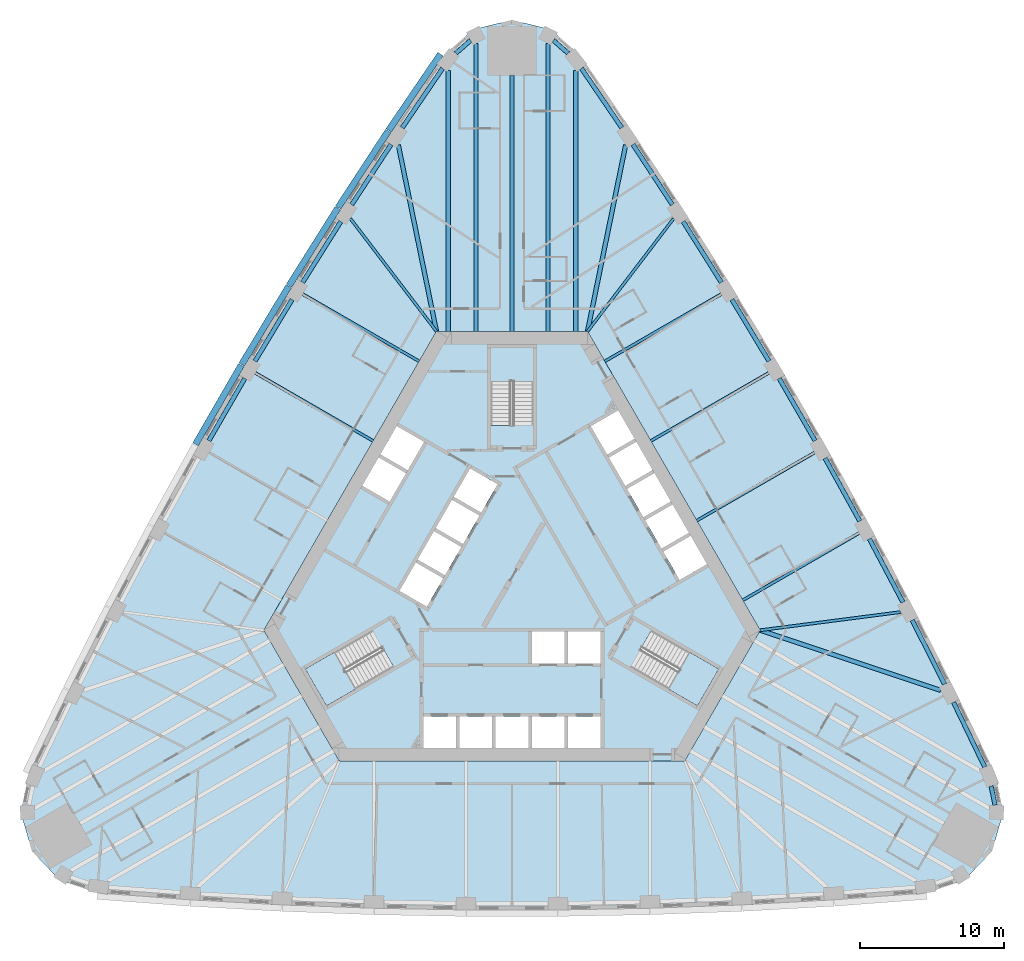
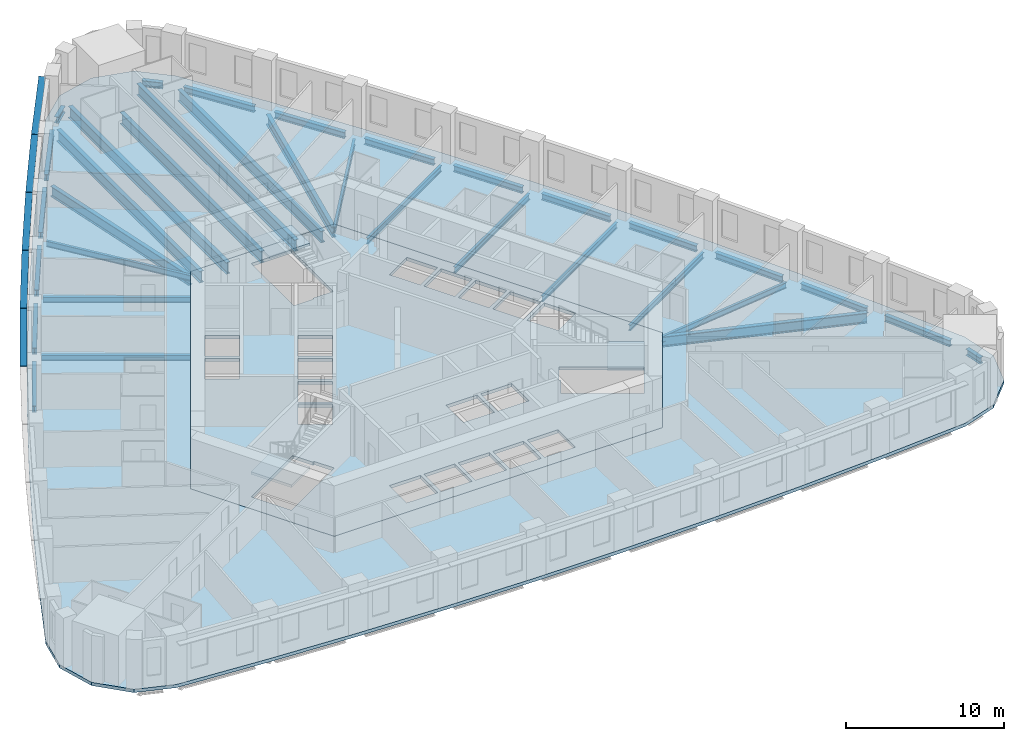
# One storey, part 2 of 12: 34 beams, 5 members, 5 slabs, 3 elements without a shape of their own.
"""IFC4 building model written with IfcOpenShell, lengths in metres."""

import ifcopenshell
import ifcopenshell.guid

model = None  # the IFC model being written
_history = None  # IfcOwnerHistory: only IFC2X3 demands one
_inside = {}  # id of a spatial element -> (the spatial element, [elements in it])
_under = {}  # id of a project, library or spatial element -> (it, [spatial elements below it])
_declared = {}  # id of a project -> (the project, [libraries it declares])
_typed = {}  # id of a type object -> (the type object, [elements of that type])
_made_of = {}  # id of a material, layer set ... -> (it, [elements and type objects made of it])


def new_model(schema):
    """Start an empty IFC model of exactly this schema.

    Asked for "IFC4X3", IfcOpenShell would pick the latest addendum, in which some entities
    have other attributes; the version numbers below select the first issue.
    IFC2X3 requires an IfcOwnerHistory on every rooted entity: one is made here for all.
    """
    global model, _history
    if schema == "IFC4X3":
        model = ifcopenshell.file(schema_version=(4, 3, 0, 0))
    else:
        model = ifcopenshell.file(schema=schema)
    _inside.clear()
    _under.clear()
    _declared.clear()
    _typed.clear()
    _made_of.clear()
    _history = None
    if model.schema == "IFC2X3":
        org = make("IfcOrganization", Name="unknown")
        user = make(
            "IfcPersonAndOrganization",
            ThePerson=make("IfcPerson", FamilyName="unknown"),
            TheOrganization=org,
        )
        app = make(
            "IfcApplication",
            ApplicationDeveloper=org,
            Version="unknown",
            ApplicationFullName="unknown",
            ApplicationIdentifier="unknown",
        )
        _history = make(
            "IfcOwnerHistory",
            OwningUser=user,
            OwningApplication=app,
            ChangeAction="ADDED",
            CreationDate=0,
        )
    return model


def make(cls, **values):
    """One entity of the class cls with the attributes given. An attribute that is None is left unset."""
    return model.create_entity(
        cls, **{name: value for name, value in values.items() if value is not None}
    )


def rooted(cls, **values):
    """An entity with a GlobalId (a new one), such as an element, a storey or a relation."""
    return make(cls, GlobalId=ifcopenshell.guid.new(), OwnerHistory=_history, **values)


def si_unit(unit_type, name, prefix=None):
    """IfcSIUnit, for example si_unit("LENGTHUNIT", "METRE", prefix="MILLI")."""
    return make("IfcSIUnit", UnitType=unit_type, Prefix=prefix, Name=name)


def assignment(units):
    """IfcUnitAssignment: the units of a project."""
    return None if units is None else make("IfcUnitAssignment", Units=units)


def point(xyz):
    """IfcCartesianPoint."""
    return None if xyz is None else make("IfcCartesianPoint", Coordinates=xyz)


def direction(xyz):
    """IfcDirection."""
    return None if xyz is None else make("IfcDirection", DirectionRatios=xyz)


def frame(location, z_axis=None, x_axis=None):
    """IfcAxis2Placement3D, a coordinate frame: its origin and axes. An axis left out is left unset."""
    return make(
        "IfcAxis2Placement3D",
        Location=point(location),
        Axis=direction(z_axis),
        RefDirection=direction(x_axis),
    )


def frame_2d(location, x_axis=None):
    """IfcAxis2Placement2D, a coordinate frame in the plane: its origin and x axis."""
    return make(
        "IfcAxis2Placement2D", Location=point(location), RefDirection=direction(x_axis)
    )


def origin():
    """The frame at (0, 0, 0) with its axes left unset."""
    return frame((0.0, 0.0, 0.0))


def origin_2d():
    """The frame at (0, 0) in the plane with its x axis left unset."""
    return frame_2d((0.0, 0.0))


def place(relative_to, where):
    """IfcLocalPlacement: puts the frame where relative to a parent placement (None: the world)."""
    return make(
        "IfcLocalPlacement", PlacementRelTo=relative_to, RelativePlacement=where
    )


def context(
    kind, dimensions, precision=None, world=None, true_north=None, identifier=None
):
    """IfcGeometricRepresentationContext, for example the 3D "Model" context."""
    return make(
        "IfcGeometricRepresentationContext",
        ContextIdentifier=identifier,
        ContextType=kind,
        CoordinateSpaceDimension=dimensions,
        Precision=precision,
        WorldCoordinateSystem=world,
        TrueNorth=true_north,
    )


def subcontext(parent, identifier, kind, view, scale=None):
    """IfcGeometricRepresentationSubContext, for example "Body" below "Model"."""
    return make(
        "IfcGeometricRepresentationSubContext",
        ContextIdentifier=identifier,
        ContextType=kind,
        ParentContext=parent,
        TargetScale=scale,
        TargetView=view,
    )


def project(units=None, contexts=None):
    """IfcProject with its units and contexts."""
    return rooted(
        "IfcProject",
        Name="project",
        RepresentationContexts=contexts,
        UnitsInContext=assignment(units),
    )


def spatial(cls, under=None, at=None, **own):
    """A site, building, storey or space (cls), placed at a placement, below another one or the project."""
    s = rooted(cls, ObjectPlacement=at, **own)
    if under is not None:
        _under.setdefault(under.id(), (under, []))[1].append(s)
    return s


def polyline(points):
    """IfcPolyline through the points."""
    return make("IfcPolyline", Points=[point(p) for p in points])


def profile(cls, at=None, kind="AREA", **sizes):
    """A parametric profile (cls). Its sizes go by their IFC names, for example OverallWidth=200.0."""
    return make(cls, ProfileType=kind, Position=at, **sizes)


def rectangle(**sizes):
    """IfcRectangleProfileDef."""
    return profile("IfcRectangleProfileDef", **sizes)


def i_section(**sizes):
    """IfcIShapeProfileDef."""
    return profile("IfcIShapeProfileDef", **sizes)


def outline(outer, holes=None, kind="AREA"):
    """IfcArbitraryClosedProfileDef: a profile drawn as a closed curve; with holes, ...WithVoids."""
    if holes is None:
        return make("IfcArbitraryClosedProfileDef", ProfileType=kind, OuterCurve=outer)
    return make(
        "IfcArbitraryProfileDefWithVoids",
        ProfileType=kind,
        OuterCurve=outer,
        InnerCurves=holes,
    )


def extrude(swept, where, along, depth):
    """IfcExtrudedAreaSolid: the profile swept, set in the frame where, extruded along a direction by depth."""
    return make(
        "IfcExtrudedAreaSolid",
        SweptArea=swept,
        Position=where,
        ExtrudedDirection=direction(along),
        Depth=depth,
    )


def shape(context_of_items, identifier, shape_type, items):
    """IfcShapeRepresentation: the items that make up one representation, for example the "Body"."""
    return make(
        "IfcShapeRepresentation",
        ContextOfItems=context_of_items,
        RepresentationIdentifier=identifier,
        RepresentationType=shape_type,
        Items=items,
    )


def material(Name=None, Category=None):
    """IfcMaterial."""
    return make("IfcMaterial", Name=Name, Category=Category)


def layer(
    of_material, thickness, ventilated=None, Name=None, Category=None, Priority=None
):
    """IfcMaterialLayer: one layer of a wall or slab, of a material (None: an air gap)."""
    return make(
        "IfcMaterialLayer",
        Material=of_material,
        LayerThickness=thickness,
        IsVentilated=ventilated,
        Name=Name,
        Category=Category,
        Priority=Priority,
    )


def layer_set(layers, Name=None):
    """IfcMaterialLayerSet."""
    return make("IfcMaterialLayerSet", MaterialLayers=layers, LayerSetName=Name)


def material_profile(
    of_material, cross_section, Name=None, Category=None, Priority=None
):
    """IfcMaterialProfile: a cross section and its material."""
    return make(
        "IfcMaterialProfile",
        Name=Name,
        Material=of_material,
        Profile=cross_section,
        Priority=Priority,
        Category=Category,
    )


def profile_set(profiles, Name=None, composite=None):
    """IfcMaterialProfileSet."""
    return make(
        "IfcMaterialProfileSet",
        Name=Name,
        MaterialProfiles=profiles,
        CompositeProfile=composite,
    )


def made_of(thing, what):
    """Note that an element or type object is made of a material, layer set ...; save() writes the relation."""
    if what is not None:
        _made_of.setdefault(what.id(), (what, []))[1].append(thing)
    return thing


def type_object(cls, material=None, **own):
    """A type object (cls), such as IfcWallType, which elements share."""
    return made_of(rooted(cls, **own), material)


def element(
    cls,
    number,
    at=None,
    inside=None,
    cuts=None,
    type_object=None,
    material=None,
    context=None,
    identifier="Body",
    shape_type=None,
    held_by="IfcProductDefinitionShape",
    body=None,
    shapes=None,
    **own,
):
    """One element of the class cls, such as IfcWall. Its Tag is "e" and its number.

    at: its placement. inside: the storey or other place that contains it. cuts: it is an
    opening in that element (IfcRelVoidsElement). A single representation is given by context,
    identifier, shape_type and body (its items); several are given by shapes. held_by: the class
    of the entity that holds the representations. save() writes the other relations.
    """
    e = rooted(cls, Tag="e%d" % number, ObjectPlacement=at, **own)
    if body is not None:
        shapes = [shape(context, identifier, shape_type, body)]
    if shapes is not None:
        e.Representation = make(held_by, Representations=shapes)
    if inside is not None:
        _inside.setdefault(inside.id(), (inside, []))[1].append(e)
    if cuts is not None:
        rooted(
            "IfcRelVoidsElement", RelatingBuildingElement=cuts, RelatedOpeningElement=e
        )
    if type_object is not None:
        _typed.setdefault(type_object.id(), (type_object, []))[1].append(e)
    return made_of(e, material)


def aggregate(whole, parts):
    """IfcRelAggregates: a whole, such as a stair, and the parts it consists of."""
    return rooted("IfcRelAggregates", RelatingObject=whole, RelatedObjects=parts)


def save(model, path):
    """Write the relations noted so far, then the file.

    IfcRelAggregates (storeys below a building ...), IfcRelContainedInSpatialStructure (elements
    in a storey), IfcRelDefinesByType, IfcRelAssociatesMaterial and IfcRelDeclares: one each for
    every whole, place, type object, material and project.
    """
    for whole, parts in _under.values():
        aggregate(whole, parts)
    for where, things in _inside.values():
        rooted(
            "IfcRelContainedInSpatialStructure",
            RelatedElements=things,
            RelatingStructure=where,
        )
    for kind, things in _typed.values():
        rooted("IfcRelDefinesByType", RelatedObjects=things, RelatingType=kind)
    for what, things in _made_of.values():
        rooted("IfcRelAssociatesMaterial", RelatedObjects=things, RelatingMaterial=what)
    for by, libraries in _declared.values():
        rooted("IfcRelDeclares", RelatingContext=by, RelatedDefinitions=libraries)
    model.write(path)


model = new_model("IFC4")

# Units and contexts
model_context = context("Model", 3, precision=1e-05, world=origin(), true_north=direction((0.0, 1.0)))
body_context = subcontext(model_context, "Body", "Model", "MODEL_VIEW")
ifc_project = project(units=[si_unit("LENGTHUNIT", "METRE"), si_unit("AREAUNIT", "SQUARE_METRE"), si_unit("VOLUMEUNIT", "CUBIC_METRE"), si_unit("PLANEANGLEUNIT", "RADIAN"), si_unit("MASSUNIT", "GRAM", prefix="KILO")], contexts=[model_context])

# Site, building, storey
site_placement = place(None, origin())
site = spatial("IfcSite", under=ifc_project, at=site_placement, CompositionType="ELEMENT")
building_placement = place(site_placement, origin())
building = spatial("IfcBuilding", under=site, at=building_placement, Name="Mestral Congress Tower", CompositionType="ELEMENT")
storey_placement = place(building_placement, frame((0.0, 0.0, 39.300048828125)))
storey = spatial("IfcBuildingStorey", under=building, at=storey_placement, Name="L08", CompositionType="ELEMENT", Elevation=39.300048828125)

# Members
ifc_material_1 = material(Name="Glazed ceramic", Category="masonry")
ifc_material_profile_1 = material_profile(ifc_material_1, rectangle(XDim=0.449951171875, YDim=0.06005859375, at=origin_2d()), Name="Ceramic blade 450 x 60")
ifc_profile_set_1 = profile_set([ifc_material_profile_1], Name="Glazed ceramic")
member_type = type_object("IfcMemberType", Name="Facade sunshade blade 450 x 60", PredefinedType="USERDEFINED", material=ifc_profile_set_1)
member_1_placement = place(storey_placement, frame((-4.973388671875, 36.188232421875, 3.280029296875), z_axis=(-0.562633427576, -0.826706493367, 0.0), x_axis=(0.826706493367, -0.562633427576, 0.0)))
element("IfcMember", 1, at=member_1_placement, inside=storey, type_object=member_type, Name="Sunshade F2-00", ObjectType="SUNSHADE", PredefinedType="USERDEFINED", context=body_context, shape_type="SweptSolid", body=[
    extrude(rectangle(XDim=0.449951171875, YDim=0.06005859375, at=origin_2d()), origin(), (0.0, 0.0, 1.0), 6.4208984375),
])
member_2_placement = place(storey_placement, frame((-8.6103515625, 30.843505859375, 3.280029296875), z_axis=(-0.547211145376, -0.836994601163, 0.0), x_axis=(0.836994601163, -0.547211145376, 0.0)))
element("IfcMember", 2, at=member_2_placement, inside=storey, type_object=member_type, Name="Sunshade F2-01", ObjectType="SUNSHADE", PredefinedType="USERDEFINED", context=body_context, shape_type="SweptSolid", body=[
    extrude(rectangle(XDim=0.449951171875, YDim=0.06005859375, at=origin_2d()), origin(), (0.0, 0.0, 1.0), 6.368408203125),
])
for number, where, z_axis, x_axis, name in (
    (3, (-12.119140625, 25.47607421875, 3.280029296875), (-0.531665815747, -0.846954225662, 0.0), (0.846954225662, -0.531665815747, 0.0), "Sunshade F2-02"),
    (4, (-15.528076171875, 20.044921875, 3.280029296875), (-0.515904518528, -0.856646092481, 0.0), (0.856646092481, -0.515904518528, 0.0), "Sunshade F2-03"),
):
    element("IfcMember", number, at=place(storey_placement, frame(where, z_axis=z_axis, x_axis=x_axis)), inside=storey, type_object=member_type, Name=name, ObjectType="SUNSHADE", PredefinedType="USERDEFINED", context=body_context, shape_type="SweptSolid", body=[
        extrude(rectangle(XDim=0.449951171875, YDim=0.06005859375, at=origin_2d()), origin(), (0.0, 0.0, 1.0), 6.3681640625),
    ])
member_3_placement = place(storey_placement, frame((-18.8359375, 14.5517578125, 3.280029296875), z_axis=(-0.499990149842, -0.866031090701, 0.0), x_axis=(0.866031090701, -0.499990149842, 0.0)))
element("IfcMember", 5, at=member_3_placement, inside=storey, type_object=member_type, Name="Sunshade F2-04", ObjectType="SUNSHADE", PredefinedType="USERDEFINED", context=body_context, shape_type="SweptSolid", body=[
    extrude(rectangle(XDim=0.449951171875, YDim=0.06005859375, at=origin_2d()), origin(), (0.0, 0.0, 1.0), 6.368408203125),
])

# Beams
ifc_material_2 = material(Name="Steel S355", Category="steel")
ifc_material_profile_2 = material_profile(ifc_material_2, i_section(OverallWidth=0.300048828125, OverallDepth=0.800048828125, WebThickness=0.017578125, FlangeThickness=0.032958984375, FilletRadius=0.030029296875, at=origin_2d()), Name="HEB 800")
ifc_profile_set_2 = profile_set([ifc_material_profile_2], Name="Steel S355")
beam_type_1 = type_object("IfcBeamType", Name="Floor beam HEB 800 S355", PredefinedType="BEAM", material=ifc_profile_set_2)
for number, where, z_axis, x_axis, name in (
    (6, (29.8203125, -8.08349609375, -0.650146484375), (-0.948734931285, 0.316072824141, 0.0), (-0.316072824141, -0.948734931285, 0.0), "BM-L08-RB1-E01"),
    (7, (7.90966796875, 29.86669921875, -0.650146484375), (-0.200647311614, -0.979663542418, 0.0), (0.979663542418, -0.200647311614, 0.0), "BM-L08-RB1-E08"),
    (8, (-7.90966796875, 29.86669921875, -0.650146484375), (0.200647311614, -0.979663542418, 0.0), (0.979663542418, 0.200647311614, 0.0), "BM-L08-RB1-W01"),
):
    element("IfcBeam", number, at=place(storey_placement, frame(where, z_axis=z_axis, x_axis=x_axis)), inside=storey, type_object=beam_type_1, Name=name, PredefinedType="BEAM", context=body_context, shape_type="SweptSolid", body=[
        extrude(i_section(OverallWidth=0.300048828125, OverallDepth=0.800048828125, WebThickness=0.017578125, FlangeThickness=0.032958984375, FilletRadius=0.030029296875, at=origin_2d()), origin(), (0.0, 0.0, 1.0), 13.236083984375),
    ])
ifc_material_profile_3 = material_profile(ifc_material_2, i_section(OverallWidth=0.300048828125, OverallDepth=0.89990234375, WebThickness=0.0185546875, FlangeThickness=0.034912109375, FilletRadius=0.030029296875, at=origin_2d()), Name="HEB 900")
ifc_profile_set_3 = profile_set([ifc_material_profile_3], Name="Steel S355")
beam_type_2 = type_object("IfcBeamType", Name="Floor beam HEB 900 S355", PredefinedType="BEAM", material=ifc_profile_set_3)
beam_1_placement = place(storey_placement, frame((4.43603515625, 35.052734375, -0.699951171875), z_axis=(0.0, -1.0, 0.0), x_axis=(1.0, 0.0, 0.0)))
element("IfcBeam", 9, at=beam_1_placement, inside=storey, type_object=beam_type_2, Name="BM-L08-RB1-E09", PredefinedType="BEAM", context=body_context, shape_type="SweptSolid", body=[
    extrude(i_section(OverallWidth=0.300048828125, OverallDepth=0.89990234375, WebThickness=0.0185546875, FlangeThickness=0.034912109375, FilletRadius=0.030029296875, at=origin_2d()), origin(), (0.0, 0.0, 1.0), 18.15283203125),
])
beam_2_placement = place(storey_placement, frame((2.503173828125, 36.91943359375, -0.699951171875), z_axis=(0.0, -1.0, 0.0), x_axis=(1.0, 0.0, 0.0)))
element("IfcBeam", 10, at=beam_2_placement, inside=storey, type_object=beam_type_2, Name="BM-L08-RB1-N1", PredefinedType="BEAM", context=body_context, shape_type="SweptSolid", body=[
    extrude(i_section(OverallWidth=0.300048828125, OverallDepth=0.89990234375, WebThickness=0.0185546875, FlangeThickness=0.034912109375, FilletRadius=0.030029296875, at=origin_2d()), origin(), (0.0, 0.0, 1.0), 20.01953125),
])
beam_3_placement = place(storey_placement, frame((0.0, 34.698974609375, -0.699951171875), z_axis=(0.0, -1.0, 0.0), x_axis=(1.0, 0.0, 0.0)))
element("IfcBeam", 11, at=beam_3_placement, inside=storey, type_object=beam_type_2, Name="BM-L08-RB1-N", PredefinedType="BEAM", context=body_context, shape_type="SweptSolid", body=[
    extrude(i_section(OverallWidth=0.300048828125, OverallDepth=0.89990234375, WebThickness=0.0185546875, FlangeThickness=0.034912109375, FilletRadius=0.030029296875, at=origin_2d()), origin(), (0.0, 0.0, 1.0), 17.799072265625),
])
beam_4_placement = place(storey_placement, frame((-2.503173828125, 36.91943359375, -0.699951171875), z_axis=(0.0, -1.0, 0.0), x_axis=(1.0, 0.0, 0.0)))
element("IfcBeam", 12, at=beam_4_placement, inside=storey, type_object=beam_type_2, Name="BM-L08-RB1-N3", PredefinedType="BEAM", context=body_context, shape_type="SweptSolid", body=[
    extrude(i_section(OverallWidth=0.300048828125, OverallDepth=0.89990234375, WebThickness=0.0185546875, FlangeThickness=0.034912109375, FilletRadius=0.030029296875, at=origin_2d()), origin(), (0.0, 0.0, 1.0), 20.01953125),
])
beam_5_placement = place(storey_placement, frame((-4.43603515625, 35.052734375, -0.699951171875), z_axis=(0.0, -1.0, 0.0), x_axis=(1.0, 0.0, 0.0)))
element("IfcBeam", 13, at=beam_5_placement, inside=storey, type_object=beam_type_2, Name="BM-L08-RB1-W00", PredefinedType="BEAM", context=body_context, shape_type="SweptSolid", body=[
    extrude(i_section(OverallWidth=0.300048828125, OverallDepth=0.89990234375, WebThickness=0.0185546875, FlangeThickness=0.034912109375, FilletRadius=0.030029296875, at=origin_2d()), origin(), (0.0, 0.0, 1.0), 18.15283203125),
])
ifc_material_profile_4 = material_profile(ifc_material_2, i_section(OverallWidth=0.18994140625, OverallDepth=0.449951171875, WebThickness=0.009521484375, FlangeThickness=0.0146484375, FilletRadius=0.02099609375, at=origin_2d()), Name="IPE 450")
ifc_profile_set_4 = profile_set([ifc_material_profile_4], Name="Steel S355")
beam_type_3 = type_object("IfcBeamType", Name="Floor beam IPE 450 S355", PredefinedType="BEAM", material=ifc_profile_set_4)
beam_6_placement = place(storey_placement, frame((27.058349609375, -2.6337890625, -0.47509765625), z_axis=(-0.99175011495, -0.128186229747, 0.0), x_axis=(0.128186229747, -0.99175011495, 0.0)))
element("IfcBeam", 14, at=beam_6_placement, inside=storey, type_object=beam_type_3, Name="BM-L08-RB1-E02", PredefinedType="BEAM", context=body_context, shape_type="SweptSolid", body=[
    extrude(i_section(OverallWidth=0.18994140625, OverallDepth=0.449951171875, WebThickness=0.009521484375, FlangeThickness=0.0146484375, FilletRadius=0.02099609375, at=origin_2d()), origin(), (0.0, 0.0, 1.0), 9.877197265625),
])
beam_7_placement = place(storey_placement, frame((24.150634765625, 2.859619140625, -0.47509765625), z_axis=(-0.866032011123, -0.499988555579, 0.0), x_axis=(0.499988555579, -0.866032011123, 0.0)))
element("IfcBeam", 15, at=beam_7_placement, inside=storey, type_object=beam_type_3, Name="BM-L08-RB1-E03", PredefinedType="BEAM", context=body_context, shape_type="SweptSolid", body=[
    extrude(i_section(OverallWidth=0.18994140625, OverallDepth=0.449951171875, WebThickness=0.009521484375, FlangeThickness=0.0146484375, FilletRadius=0.02099609375, at=origin_2d()), origin(), (0.0, 0.0, 1.0), 9.344970703125),
])
for number, where, z_axis, x_axis, name in (
    (16, (21.0537109375, 8.46044921875, -0.47509765625), (-0.866019749231, -0.500009793847, 0.0), (0.500009793847, -0.866019749231, 0.0), "BM-L08-RB1-E04"),
    (17, (17.853759765625, 14.0029296875, -0.47509765625), (-0.866019749231, -0.500009793847, 0.0), (0.500009793847, -0.866019749231, 0.0), "BM-L08-RB1-E05"),
):
    element("IfcBeam", number, at=place(storey_placement, frame(where, z_axis=z_axis, x_axis=x_axis)), inside=storey, type_object=beam_type_3, Name=name, PredefinedType="BEAM", context=body_context, shape_type="SweptSolid", body=[
        extrude(i_section(OverallWidth=0.18994140625, OverallDepth=0.449951171875, WebThickness=0.009521484375, FlangeThickness=0.0146484375, FilletRadius=0.02099609375, at=origin_2d()), origin(), (0.0, 0.0, 1.0), 9.463134765625),
    ])
beam_8_placement = place(storey_placement, frame((14.5517578125, 19.485107421875, -0.47509765625), z_axis=(-0.866025479842, -0.499999868264, 0.0), x_axis=(0.499999868264, -0.866025479842, 0.0)))
element("IfcBeam", 18, at=beam_8_placement, inside=storey, type_object=beam_type_3, Name="BM-L08-RB1-E06", PredefinedType="BEAM", context=body_context, shape_type="SweptSolid", body=[
    extrude(i_section(OverallWidth=0.18994140625, OverallDepth=0.449951171875, WebThickness=0.009521484375, FlangeThickness=0.0146484375, FilletRadius=0.02099609375, at=origin_2d()), origin(), (0.0, 0.0, 1.0), 9.3447265625),
])
for number, where, z_axis, x_axis, name in (
    (19, (11.248291015625, 24.75, -0.47509765625), (-0.606898557801, -0.794779303039, 0.0), (0.794779303039, -0.606898557801, 0.0), "BM-L08-RB1-E07"),
    (20, (-11.248291015625, 24.75, -0.47509765625), (0.606898557801, -0.794779303039, 0.0), (0.794779303039, 0.606898557801, 0.0), "BM-L08-RB1-W02"),
):
    element("IfcBeam", number, at=place(storey_placement, frame(where, z_axis=z_axis, x_axis=x_axis)), inside=storey, type_object=beam_type_3, Name=name, PredefinedType="BEAM", context=body_context, shape_type="SweptSolid", body=[
        extrude(i_section(OverallWidth=0.18994140625, OverallDepth=0.449951171875, WebThickness=0.009521484375, FlangeThickness=0.0146484375, FilletRadius=0.02099609375, at=origin_2d()), origin(), (0.0, 0.0, 1.0), 9.877197265625),
    ])
beam_9_placement = place(storey_placement, frame((-14.5517578125, 19.485107421875, -0.47509765625), z_axis=(0.866025479842, -0.499999868264, 0.0), x_axis=(0.499999868264, 0.866025479842, 0.0)))
element("IfcBeam", 21, at=beam_9_placement, inside=storey, type_object=beam_type_3, Name="BM-L08-RB1-W03", PredefinedType="BEAM", context=body_context, shape_type="SweptSolid", body=[
    extrude(i_section(OverallWidth=0.18994140625, OverallDepth=0.449951171875, WebThickness=0.009521484375, FlangeThickness=0.0146484375, FilletRadius=0.02099609375, at=origin_2d()), origin(), (0.0, 0.0, 1.0), 9.3447265625),
])
beam_10_placement = place(storey_placement, frame((-17.853759765625, 14.0029296875, -0.47509765625), z_axis=(0.866019749231, -0.500009793847, 0.0), x_axis=(0.500009793847, 0.866019749231, 0.0)))
element("IfcBeam", 22, at=beam_10_placement, inside=storey, type_object=beam_type_3, Name="BM-L08-RB1-W04", PredefinedType="BEAM", context=body_context, shape_type="SweptSolid", body=[
    extrude(i_section(OverallWidth=0.18994140625, OverallDepth=0.449951171875, WebThickness=0.009521484375, FlangeThickness=0.0146484375, FilletRadius=0.02099609375, at=origin_2d()), origin(), (0.0, 0.0, 1.0), 9.463134765625),
])
ifc_material_profile_5 = material_profile(ifc_material_2, i_section(OverallWidth=0.300048828125, OverallDepth=0.489990234375, WebThickness=0.011962890625, FlangeThickness=0.02294921875, FilletRadius=0.027099609375, at=origin_2d()), Name="HEA 500")
ifc_profile_set_5 = profile_set([ifc_material_profile_5], Name="Steel S355")
beam_type_4 = type_object("IfcBeamType", Name="Spandrel beam HEA 500 S355", PredefinedType="BEAM", material=ifc_profile_set_5)
beam_11_placement = place(storey_placement, frame((33.611328125, -16.0693359375, -0.4951171875), z_axis=(-0.197991750859, 0.980203686277, 0.0), x_axis=(-0.980203686277, -0.197991750859, 0.0)))
element("IfcBeam", 23, at=beam_11_placement, inside=storey, type_object=beam_type_4, Name="SP-L08-SB1-SE3", PredefinedType="BEAM", context=body_context, shape_type="SweptSolid", body=[
    extrude(i_section(OverallWidth=0.300048828125, OverallDepth=0.489990234375, WebThickness=0.011962890625, FlangeThickness=0.02294921875, FilletRadius=0.027099609375, at=origin_2d()), origin(), (0.0, 0.0, 1.0), 1.3515625),
])
beam_12_placement = place(storey_placement, frame((32.897705078125, -13.415283203125, -0.4951171875), z_axis=(-0.434645244295, 0.900601749727, 0.0), x_axis=(-0.900601749727, -0.434645244295, 0.0)))
element("IfcBeam", 24, at=beam_12_placement, inside=storey, type_object=beam_type_4, Name="SP-L08-SB1-E00", PredefinedType="BEAM", context=body_context, shape_type="SweptSolid", body=[
    extrude(i_section(OverallWidth=0.300048828125, OverallDepth=0.489990234375, WebThickness=0.011962890625, FlangeThickness=0.02294921875, FilletRadius=0.027099609375, at=origin_2d()), origin(), (0.0, 0.0, 1.0), 4.998046875),
])
beam_13_placement = place(storey_placement, frame((30.105224609375, -7.658935546875, -0.4951171875), z_axis=(-0.45123261425, 0.892406369227, 0.0), x_axis=(-0.892406369227, -0.45123261425, 0.0)))
element("IfcBeam", 25, at=beam_13_placement, inside=storey, type_object=beam_type_4, Name="SP-L08-SB1-E01", PredefinedType="BEAM", context=body_context, shape_type="SweptSolid", body=[
    extrude(i_section(OverallWidth=0.300048828125, OverallDepth=0.489990234375, WebThickness=0.011962890625, FlangeThickness=0.02294921875, FilletRadius=0.027099609375, at=origin_2d()), origin(), (0.0, 0.0, 1.0), 4.999755859375),
])
beam_14_placement = place(storey_placement, frame((27.2060546875, -1.95361328125, -0.4951171875), z_axis=(-0.467681307417, 0.883897162962, 0.0), x_axis=(-0.883897162962, -0.467681307417, 0.0)))
element("IfcBeam", 26, at=beam_14_placement, inside=storey, type_object=beam_type_4, Name="SP-L08-SB1-E02", PredefinedType="BEAM", context=body_context, shape_type="SweptSolid", body=[
    extrude(i_section(OverallWidth=0.300048828125, OverallDepth=0.489990234375, WebThickness=0.011962890625, FlangeThickness=0.02294921875, FilletRadius=0.027099609375, at=origin_2d()), origin(), (0.0, 0.0, 1.0), 5.0),
])
for number, where, z_axis, x_axis, name in (
    (27, (24.20166015625, 3.697265625, -0.4951171875), (-0.483900688062, 0.875122919419, 0.0), (-0.875122919419, -0.483900688062, 0.0), "SP-L08-SB1-E03"),
    (28, (21.093505859375, 9.291748046875, -0.4951171875), (-0.50002537861, 0.866010750942, 0.0), (-0.866010750942, -0.50002537861, 0.0), "SP-L08-SB1-E04"),
    (29, (17.88232421875, 14.82763671875, -0.4951171875), (-0.515938385622, 0.85662569553, 0.0), (-0.85662569553, -0.515938385622, 0.0), "SP-L08-SB1-E05"),
    (30, (14.5693359375, 20.302978515625, -0.4951171875), (-0.531661433361, 0.846956976639, 0.0), (-0.846956976639, -0.531661433361, 0.0), "SP-L08-SB1-E06"),
):
    element("IfcBeam", number, at=place(storey_placement, frame(where, z_axis=z_axis, x_axis=x_axis)), inside=storey, type_object=beam_type_4, Name=name, PredefinedType="BEAM", context=body_context, shape_type="SweptSolid", body=[
        extrude(i_section(OverallWidth=0.300048828125, OverallDepth=0.489990234375, WebThickness=0.011962890625, FlangeThickness=0.02294921875, FilletRadius=0.027099609375, at=origin_2d()), origin(), (0.0, 0.0, 1.0), 4.999755859375),
    ])
beam_15_placement = place(storey_placement, frame((11.156005859375, 25.716552734375, -0.4951171875), z_axis=(-0.547263834194, 0.836960151849, 0.0), x_axis=(-0.836960151849, -0.547263834194, 0.0)))
element("IfcBeam", 31, at=beam_15_placement, inside=storey, type_object=beam_type_4, Name="SP-L08-SB1-E07", PredefinedType="BEAM", context=body_context, shape_type="SweptSolid", body=[
    extrude(i_section(OverallWidth=0.300048828125, OverallDepth=0.489990234375, WebThickness=0.011962890625, FlangeThickness=0.02294921875, FilletRadius=0.027099609375, at=origin_2d()), origin(), (0.0, 0.0, 1.0), 5.0),
])
beam_16_placement = place(storey_placement, frame((7.642822265625, 31.06591796875, -0.4951171875), z_axis=(-0.562610596841, 0.826722030868, 0.0), x_axis=(-0.826722030868, -0.562610596841, 0.0)))
element("IfcBeam", 32, at=beam_16_placement, inside=storey, type_object=beam_type_4, Name="SP-L08-SB1-E08", PredefinedType="BEAM", context=body_context, shape_type="SweptSolid", body=[
    extrude(i_section(OverallWidth=0.300048828125, OverallDepth=0.489990234375, WebThickness=0.011962890625, FlangeThickness=0.02294921875, FilletRadius=0.027099609375, at=origin_2d()), origin(), (0.0, 0.0, 1.0), 4.998046875),
])
for number, where, z_axis, x_axis, name in (
    (33, (3.902587890625, 36.248779296875, -0.4951171875), (-0.749806226219, 0.661657481725, 0.0), (-0.661657481725, -0.749806226219, 0.0), "SP-L08-SB1-E09"),
    (34, (-2.88916015625, 37.14306640625, -0.4951171875), (-0.749806226219, -0.661657481725, 0.0), (0.661657481725, -0.749806226219, 0.0), "SP-L08-SB1-N3"),
):
    element("IfcBeam", number, at=place(storey_placement, frame(where, z_axis=z_axis, x_axis=x_axis)), inside=storey, type_object=beam_type_4, Name=name, PredefinedType="BEAM", context=body_context, shape_type="SweptSolid", body=[
        extrude(i_section(OverallWidth=0.300048828125, OverallDepth=0.489990234375, WebThickness=0.011962890625, FlangeThickness=0.02294921875, FilletRadius=0.027099609375, at=origin_2d()), origin(), (0.0, 0.0, 1.0), 1.3515625),
    ])
beam_17_placement = place(storey_placement, frame((-4.830810546875, 35.197998046875, -0.4951171875), z_axis=(-0.562610596841, -0.826722030868, 0.0), x_axis=(0.826722030868, -0.562610596841, 0.0)))
element("IfcBeam", 35, at=beam_17_placement, inside=storey, type_object=beam_type_4, Name="SP-L08-SB1-W00", PredefinedType="BEAM", context=body_context, shape_type="SweptSolid", body=[
    extrude(i_section(OverallWidth=0.300048828125, OverallDepth=0.489990234375, WebThickness=0.011962890625, FlangeThickness=0.02294921875, FilletRadius=0.027099609375, at=origin_2d()), origin(), (0.0, 0.0, 1.0), 4.998046875),
])
beam_18_placement = place(storey_placement, frame((-8.419677734375, 29.9013671875, -0.4951171875), z_axis=(-0.547263834194, -0.836960151849, 0.0), x_axis=(0.836960151849, -0.547263834194, 0.0)))
element("IfcBeam", 36, at=beam_18_placement, inside=storey, type_object=beam_type_4, Name="SP-L08-SB1-W01", PredefinedType="BEAM", context=body_context, shape_type="SweptSolid", body=[
    extrude(i_section(OverallWidth=0.300048828125, OverallDepth=0.489990234375, WebThickness=0.011962890625, FlangeThickness=0.02294921875, FilletRadius=0.027099609375, at=origin_2d()), origin(), (0.0, 0.0, 1.0), 5.0),
])
for number, where, z_axis, x_axis, name in (
    (37, (-11.9111328125, 24.53759765625, -0.4951171875), (-0.531661433361, -0.846956976639, 0.0), (0.846956976639, -0.531661433361, 0.0), "SP-L08-SB1-W02"),
    (38, (-15.302734375, 19.110595703125, -0.4951171875), (-0.515938385622, -0.85662569553, 0.0), (0.85662569553, -0.515938385622, 0.0), "SP-L08-SB1-W03"),
    (39, (-18.593505859375, 13.62158203125, -0.4951171875), (-0.50002537861, -0.866010750942, 0.0), (0.866010750942, -0.50002537861, 0.0), "SP-L08-SB1-W04"),
):
    element("IfcBeam", number, at=place(storey_placement, frame(where, z_axis=z_axis, x_axis=x_axis)), inside=storey, type_object=beam_type_4, Name=name, PredefinedType="BEAM", context=body_context, shape_type="SweptSolid", body=[
        extrude(i_section(OverallWidth=0.300048828125, OverallDepth=0.489990234375, WebThickness=0.011962890625, FlangeThickness=0.02294921875, FilletRadius=0.027099609375, at=origin_2d()), origin(), (0.0, 0.0, 1.0), 4.999755859375),
    ])

# Slabs
ifc_material_3 = material(Name="Concrete C35/45", Category="concrete")
ifc_layer_1 = layer(ifc_material_3, 0.25)
ifc_layer_set_1 = layer_set([ifc_layer_1], Name="Concrete C35/45")
slab_type_1 = type_object("IfcSlabType", Name="Composite floor slab 250", PredefinedType="FLOOR", material=ifc_layer_set_1)
placement_1 = place(storey_placement, frame((0.0, 0.0, -0.25)))
element("IfcSlab", 40, at=placement_1, inside=storey, type_object=slab_type_1, Name="SL-L08", PredefinedType="FLOOR", context=body_context, shape_type="SweptSolid", body=[
    extrude(outline(polyline([(-28.8564453125, -22.17529296875), (-31.45849609375, -21.301025390625), (-33.39599609375, -19.28125), (-34.176513671875, -16.59326171875), (-33.6328125, -13.90283203125), (-30.824462890625, -8.084228515625), (-27.93310546875, -2.365478515625), (-24.936279296875, 3.298828125), (-21.835205078125, 8.90673828125), (-18.631103515625, 14.45654296875), (-15.324951171875, 19.946044921875), (-11.91796875, 25.373291015625), (-8.4111328125, 30.737060546875), (-4.776123046875, 36.078125), (-2.718017578125, 37.894287109375), (0.0, 38.562255859375), (2.718017578125, 37.894287109375), (4.776123046875, 36.078125), (8.4111328125, 30.737060546875), (11.91796875, 25.373291015625), (15.324951171875, 19.946044921875), (18.631103515625, 14.45654296875), (21.835205078125, 8.90673828125), (24.936279296875, 3.298828125), (27.93310546875, -2.365478515625), (30.824462890625, -8.084228515625), (33.6328125, -13.90283203125), (34.176513671875, -16.59326171875), (33.39599609375, -19.28125), (31.45849609375, -21.301025390625), (28.8564453125, -22.17529296875), (22.41357421875, -22.652587890625), (16.01513671875, -23.0078125), (9.611083984375, -23.244873046875), (3.2041015625, -23.36328125), (-3.2041015625, -23.36328125), (-9.611083984375, -23.244873046875), (-16.01513671875, -23.0078125), (-22.41357421875, -22.652587890625), (-28.8564453125, -22.17529296875)]), holes=[polyline([(-5.25390625, 16.89990234375), (-17.2626953125, -3.89990234375), (-12.0087890625, -13.0), (12.0087890625, -13.0), (17.2626953125, -3.89990234375), (5.25390625, 16.89990234375), (-5.25390625, 16.89990234375)])]), origin(), (0.0, 0.0, 1.0), 0.25),
])
ifc_material_4 = material(Name="Concrete C60/75", Category="concrete")
ifc_layer_2 = layer(ifc_material_4, 0.25)
ifc_layer_set_2 = layer_set([ifc_layer_2], Name="Concrete C60/75")
slab_type_2 = type_object("IfcSlabType", Name="Core floor slab RC 250", PredefinedType="FLOOR", material=ifc_layer_set_2)
element("IfcSlab", 41, at=placement_1, inside=storey, type_object=slab_type_2, Name="L08 core floor", PredefinedType="FLOOR", context=body_context, shape_type="SweptSolid", body=[
    extrude(outline(polyline([(12.0087890625, -13.0), (-12.0087890625, -13.0), (-17.2626953125, -3.89990234375), (-5.25390625, 16.89990234375), (5.25390625, 16.89990234375), (17.2626953125, -3.89990234375), (12.0087890625, -13.0)]), holes=[polyline([(-3.905029296875, -9.89990234375), (-6.175048828125, -9.89990234375), (-6.175048828125, -12.10009765625), (-3.905029296875, -12.10009765625), (-3.905029296875, -9.89990234375)]), polyline([(-1.385009765625, -9.89990234375), (-3.655029296875, -9.89990234375), (-3.655029296875, -12.10009765625), (-1.385009765625, -12.10009765625), (-1.385009765625, -9.89990234375)]), polyline([(1.135009765625, -9.89990234375), (-1.135009765625, -9.89990234375), (-1.135009765625, -12.10009765625), (1.135009765625, -12.10009765625), (1.135009765625, -9.89990234375)]), polyline([(-9.0673828125, -5.235107421875), (-9.8046875, -3.95751953125), (-14.37744140625, -6.59765625), (-12.90234375, -9.15234375), (-8.234619140625, -6.45751953125), (-8.971923828125, -5.179931640625), (-9.0673828125, -5.235107421875)]), polyline([(-7.826904296875, -1.156494140625), (-5.921630859375, -2.256591796875), (-4.78662109375, -0.29052734375), (-6.69189453125, 0.809326171875), (-7.826904296875, -1.156494140625)]), polyline([(-4.66162109375, -0.07421875), (-3.526611328125, 1.8916015625), (-5.431884765625, 2.99169921875), (-6.56689453125, 1.02587890625), (-4.66162109375, -0.07421875)]), polyline([(-3.401611328125, 2.1083984375), (-2.2666015625, 4.07421875), (-4.171875, 5.174072265625), (-5.306884765625, 3.208251953125), (-3.401611328125, 2.1083984375)]), polyline([(-2.1416015625, 4.29052734375), (-1.006591796875, 6.256591796875), (-2.911865234375, 7.3564453125), (-4.046875, 5.390625), (-2.1416015625, 4.29052734375)]), polyline([(-10.41650390625, 6.158203125), (-8.51123046875, 5.058349609375), (-7.376220703125, 7.024169921875), (-9.281494140625, 8.1240234375), (-10.41650390625, 6.158203125)]), polyline([(-9.156494140625, 8.340576171875), (-7.251220703125, 7.240478515625), (-6.1162109375, 9.20654296875), (-8.021484375, 10.306396484375), (-9.156494140625, 8.340576171875)]), polyline([(1.47509765625, 10.469970703125), (1.47509765625, 15.75), (-1.47509765625, 15.75), (-1.47509765625, 10.360107421875), (0.0, 10.360107421875), (0.0, 10.469970703125), (1.47509765625, 10.469970703125)]), polyline([(3.655029296875, -9.89990234375), (1.385009765625, -9.89990234375), (1.385009765625, -12.10009765625), (3.655029296875, -12.10009765625), (3.655029296875, -9.89990234375)]), polyline([(6.175048828125, -9.89990234375), (3.905029296875, -9.89990234375), (3.905029296875, -12.10009765625), (6.175048828125, -12.10009765625), (6.175048828125, -9.89990234375)]), polyline([(9.0673828125, -5.235107421875), (8.329833984375, -6.512451171875), (12.90234375, -9.15234375), (14.37744140625, -6.59765625), (9.70947265625, -3.902587890625), (8.971923828125, -5.179931640625), (9.0673828125, -5.235107421875)]), polyline([(3.655029296875, -6.199951171875), (3.655029296875, -4.0), (1.385009765625, -4.0), (1.385009765625, -6.199951171875), (3.655029296875, -6.199951171875)]), polyline([(6.175048828125, -4.0), (3.905029296875, -4.0), (3.905029296875, -6.199951171875), (6.175048828125, -6.199951171875), (6.175048828125, -4.0)]), polyline([(12.431396484375, 2.668212890625), (10.526123046875, 1.568115234375), (11.6611328125, -0.397705078125), (13.56640625, 0.702392578125), (12.431396484375, 2.668212890625)]), polyline([(11.17138671875, 4.8505859375), (9.26611328125, 3.75048828125), (10.401123046875, 1.78466796875), (12.306396484375, 2.884765625), (11.17138671875, 4.8505859375)]), polyline([(8.006103515625, 5.932861328125), (9.14111328125, 3.967041015625), (11.04638671875, 5.067138671875), (9.911376953125, 7.032958984375), (8.006103515625, 5.932861328125)]), polyline([(8.6513671875, 9.21533203125), (6.74609375, 8.115234375), (7.881103515625, 6.1494140625), (9.786376953125, 7.24951171875), (8.6513671875, 9.21533203125)]), polyline([(7.391357421875, 11.397705078125), (5.486083984375, 10.297607421875), (6.62109375, 8.331787109375), (8.5263671875, 9.431884765625), (7.391357421875, 11.397705078125)])]), origin(), (0.0, 0.0, 1.0), 0.25),
])

# Stair, slab
stair_type = type_object("IfcStairType", Name="Exit stair 1400", PredefinedType="HALF_TURN_STAIR", material=ifc_material_4)
placement_2 = place(storey_placement, origin())
stair_1 = element("IfcStair", 42, at=placement_2, inside=storey, type_object=stair_type, Name="L08 ST1", PredefinedType="HALF_TURN_STAIR")
ifc_layer_3 = layer(ifc_material_4, 0.199951171875)
ifc_layer_set_3 = layer_set([ifc_layer_3], Name="Concrete C60/75")
slab_type_3 = type_object("IfcSlabType", Name="Exit stair landing 200", PredefinedType="LANDING", material=ifc_layer_set_3)
placement_3 = place(storey_placement, frame((0.0, 0.0, 1.75)))
slab_3 = element("IfcSlab", 43, at=placement_3, type_object=slab_type_3, Name="ST1 landing 1", PredefinedType="LANDING", context=body_context, shape_type="SweptSolid", body=[
    extrude(outline(polyline([(10.879638671875, -7.99609375), (12.364501953125, -5.424072265625), (14.39111328125, -6.593994140625), (12.906005859375, -9.166015625), (10.879638671875, -7.99609375)])), origin(), (0.0, 0.0, 1.0), 0.199951171875),
])
aggregate(stair_1, [slab_3])

stair_2 = element("IfcStair", 44, at=placement_2, inside=storey, type_object=stair_type, Name="L08 ST2", PredefinedType="HALF_TURN_STAIR")
slab_4 = element("IfcSlab", 45, at=placement_3, type_object=slab_type_3, Name="ST2 landing 1", PredefinedType="LANDING", context=body_context, shape_type="SweptSolid", body=[
    extrude(outline(polyline([(1.485107421875, 13.419921875), (-1.485107421875, 13.419921875), (-1.485107421875, 15.760009765625), (1.485107421875, 15.760009765625), (1.485107421875, 13.419921875)])), origin(), (0.0, 0.0, 1.0), 0.199951171875),
])
aggregate(stair_2, [slab_4])

stair_3 = element("IfcStair", 46, at=placement_2, inside=storey, type_object=stair_type, Name="L08 ST3", PredefinedType="HALF_TURN_STAIR")
slab_5 = element("IfcSlab", 47, at=placement_3, type_object=slab_type_3, Name="ST3 landing 1", PredefinedType="LANDING", context=body_context, shape_type="SweptSolid", body=[
    extrude(outline(polyline([(-12.364501953125, -5.424072265625), (-10.879638671875, -7.99609375), (-12.906005859375, -9.166015625), (-14.39111328125, -6.593994140625), (-12.364501953125, -5.424072265625)])), origin(), (0.0, 0.0, 1.0), 0.199951171875),
])
aggregate(stair_3, [slab_5])

save(model, "model.ifc")
